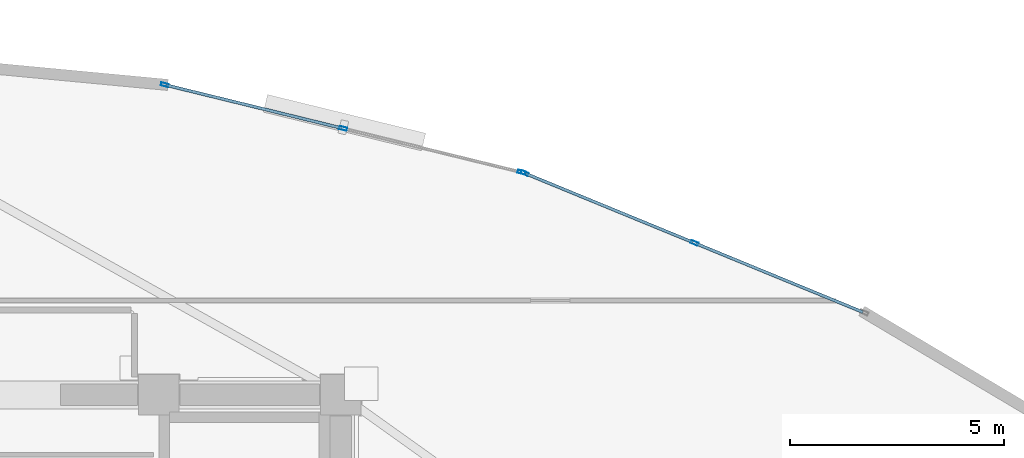
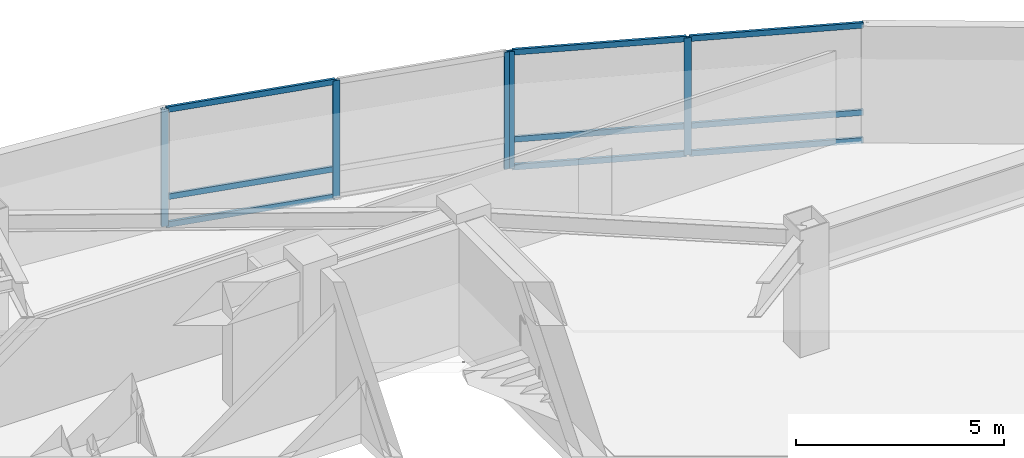
# One storey, part 10 of 17: 14 members, 2 elements without a shape of their own.
"""IFC4 building model written with IfcOpenShell, lengths in metres."""

from ifc_helpers import new_model, si_unit, direction, frame, origin, origin_2d, place, context, subcontext, project, spatial, hollow_rectangle, extrude, material, layer, layer_set, material_profile, profile_set, type_object, element, aggregate, save


model = new_model("IFC4")

# Units and contexts
model_context = context("Model", 3, precision=1e-05, world=origin(), true_north=direction((0.0, 1.0)))
body_context = subcontext(model_context, "Body", "Model", "MODEL_VIEW")
ifc_project = project(units=[si_unit("LENGTHUNIT", "METRE"), si_unit("AREAUNIT", "SQUARE_METRE"), si_unit("VOLUMEUNIT", "CUBIC_METRE"), si_unit("PLANEANGLEUNIT", "RADIAN"), si_unit("MASSUNIT", "GRAM", prefix="KILO")], contexts=[model_context])

# Site, building, storey
site_placement = place(None, origin())
site = spatial("IfcSite", under=ifc_project, at=site_placement, CompositionType="ELEMENT")
building_placement = place(site_placement, origin())
building = spatial("IfcBuilding", under=site, at=building_placement, Name="Menara Vayukalpa", CompositionType="ELEMENT")
storey_placement = place(building_placement, frame((0.0, 0.0, 234.419921875)))
storey = spatial("IfcBuildingStorey", under=building, at=storey_placement, Name="L59", CompositionType="ELEMENT", Elevation=234.419921875)

# Curtain wall, members
ifc_material_1 = material(Name="Anodised Terracotta Aluminium Alloy 6063-T6", Category="masonry")
ifc_layer = layer(ifc_material_1, 0.179931640625)
ifc_layer_set = layer_set([ifc_layer], Name="Anodised Terracotta Aluminium Alloy 6063-T6")
curtain_wall_type = type_object("IfcCurtainWallType", Name="CW-CW4", PredefinedType="USERDEFINED", material=ifc_layer_set)
curtain_wall_1_placement = place(storey_placement, origin())
curtain_wall_1 = element("IfcCurtainWall", 1, at=curtain_wall_1_placement, inside=storey, type_object=curtain_wall_type, Name="L59 Sky Bar Cantilever Glazed Curtain Wall CW4 04", ObjectType="UNITISED", PredefinedType="USERDEFINED")
ifc_material_2 = material(Name="Anodised Terracotta Aluminium Alloy 6063-T6", Category="masonry")
ifc_material_profile_1 = material_profile(ifc_material_2, hollow_rectangle(XDim=0.074951171875, YDim=0.179931640625, WallThickness=0.00390625, at=origin_2d()), Name="ALU 75x180x4")
ifc_profile_set_1 = profile_set([ifc_material_profile_1], Name="Anodised Terracotta Aluminium Alloy 6063-T6")
member_type_1 = type_object("IfcMemberType", Name="CWM-CW4", PredefinedType="MULLION", material=ifc_profile_set_1)
member_1_placement = place(storey_placement, frame((41.658203125, 30.34765625, 0.0), z_axis=(0.0, 0.0, 1.0), x_axis=(-0.380039448491, -0.924970279301, 0.0)))
member_1 = element("IfcMember", 2, at=member_1_placement, type_object=member_type_1, Name="CW4 mullion 2", PredefinedType="MULLION", context=body_context, shape_type="SweptSolid", body=[
    extrude(hollow_rectangle(XDim=0.074951171875, YDim=0.179931640625, WallThickness=0.00390625, at=origin_2d()), origin(), (0.0, 0.0, 1.0), 3.440185546875),
])
member_2_placement = place(storey_placement, frame((37.690673828125, 31.977783203125, 0.0), z_axis=(0.0, 0.0, 1.0), x_axis=(-0.380039448491, -0.924970279301, 0.0)))
member_2 = element("IfcMember", 3, at=member_2_placement, type_object=member_type_1, Name="CW4 mullion 3", PredefinedType="MULLION", context=body_context, shape_type="SweptSolid", body=[
    extrude(hollow_rectangle(XDim=0.074951171875, YDim=0.179931640625, WallThickness=0.00390625, at=origin_2d()), origin(), (0.0, 0.0, 1.0), 3.440185546875),
])

curtain_wall_2_placement = place(storey_placement, origin())
curtain_wall_2 = element("IfcCurtainWall", 4, at=curtain_wall_2_placement, inside=storey, type_object=curtain_wall_type, Name="L59 Sky Bar Cantilever Glazed Curtain Wall CW4 05", ObjectType="UNITISED", PredefinedType="USERDEFINED")
member_3_placement = place(storey_placement, frame((37.61962890625, 32.0009765625, 0.0), z_axis=(0.0, 0.0, 1.0), x_axis=(-0.237809768652, -0.971311749097, 0.0)))
member_3 = element("IfcMember", 5, at=member_3_placement, type_object=member_type_1, Name="CW4 mullion 1", PredefinedType="MULLION", context=body_context, shape_type="SweptSolid", body=[
    extrude(hollow_rectangle(XDim=0.074951171875, YDim=0.179931640625, WallThickness=0.00390625, at=origin_2d()), origin(), (0.0, 0.0, 1.0), 3.440185546875),
])
member_4_placement = place(storey_placement, frame((33.453369140625, 33.02099609375, 0.0), z_axis=(0.0, 0.0, 1.0), x_axis=(-0.237809768652, -0.971311749097, 0.0)))
member_4 = element("IfcMember", 6, at=member_4_placement, type_object=member_type_1, Name="CW4 mullion 2", PredefinedType="MULLION", context=body_context, shape_type="SweptSolid", body=[
    extrude(hollow_rectangle(XDim=0.074951171875, YDim=0.179931640625, WallThickness=0.00390625, at=origin_2d()), origin(), (0.0, 0.0, 1.0), 3.440185546875),
])
member_5_placement = place(storey_placement, frame((29.287109375, 34.041015625, 0.0), z_axis=(0.0, 0.0, 1.0), x_axis=(-0.237809768652, -0.971311749097, 0.0)))
member_5 = element("IfcMember", 7, at=member_5_placement, type_object=member_type_1, Name="CW4 mullion 3", PredefinedType="MULLION", context=body_context, shape_type="SweptSolid", body=[
    extrude(hollow_rectangle(XDim=0.074951171875, YDim=0.179931640625, WallThickness=0.00390625, at=origin_2d()), origin(), (0.0, 0.0, 1.0), 3.440185546875),
])

# Member
ifc_material_3 = material(Name="Anodised Terracotta Aluminium Alloy 6063-T6", Category="masonry")
ifc_material_profile_2 = material_profile(ifc_material_3, hollow_rectangle(XDim=0.070068359375, YDim=0.1650390625, WallThickness=0.00390625, at=origin_2d()), Name="ALU 70x165x4")
ifc_profile_set_2 = profile_set([ifc_material_profile_2], Name="Anodised Terracotta Aluminium Alloy 6063-T6")
member_type_2 = type_object("IfcMemberType", Name="CWT-CW4", PredefinedType="USERDEFINED", material=ifc_profile_set_2)
member_6_placement = place(storey_placement, frame((45.5908203125, 28.731689453125, 0.03515625), z_axis=(-0.924947817082, 0.380094114235, 0.0), x_axis=(-0.380094114235, -0.924947817082, 0.0)))
member_6 = element("IfcMember", 8, at=member_6_placement, type_object=member_type_2, Name="CW4 transom 1.1", ObjectType="TRANSOM", PredefinedType="USERDEFINED", context=body_context, shape_type="SweptSolid", body=[
    extrude(hollow_rectangle(XDim=0.070068359375, YDim=0.1650390625, WallThickness=0.00390625, at=origin_2d()), origin(), (0.0, 0.0, 1.0), 4.21435546875),
])

member_7_placement = place(storey_placement, frame((45.5908203125, 28.731689453125, 0.85009765625), z_axis=(-0.924947817082, 0.380094114235, 0.0), x_axis=(-0.380094114235, -0.924947817082, 0.0)))
member_7 = element("IfcMember", 9, at=member_7_placement, type_object=member_type_2, Name="CW4 transom 1.2", ObjectType="TRANSOM", PredefinedType="USERDEFINED", context=body_context, shape_type="SweptSolid", body=[
    extrude(hollow_rectangle(XDim=0.070068359375, YDim=0.1650390625, WallThickness=0.00390625, at=origin_2d()), origin(), (0.0, 0.0, 1.0), 4.21435546875),
])

member_8_placement = place(storey_placement, frame((45.5908203125, 28.731689453125, 3.405029296875), z_axis=(-0.924947817082, 0.380094114235, 0.0), x_axis=(-0.380094114235, -0.924947817082, 0.0)))
member_8 = element("IfcMember", 10, at=member_8_placement, type_object=member_type_2, Name="CW4 transom 1.3", ObjectType="TRANSOM", PredefinedType="USERDEFINED", context=body_context, shape_type="SweptSolid", body=[
    extrude(hollow_rectangle(XDim=0.070068359375, YDim=0.1650390625, WallThickness=0.00390625, at=origin_2d()), origin(), (0.0, 0.0, 1.0), 4.21435546875),
])

member_9_placement = place(storey_placement, frame((41.62353515625, 30.36181640625, 0.03515625), z_axis=(-0.924976550219, 0.380024185473, 0.0), x_axis=(-0.380024185473, -0.924976550219, 0.0)))
member_9 = element("IfcMember", 11, at=member_9_placement, type_object=member_type_2, Name="CW4 transom 2.1", ObjectType="TRANSOM", PredefinedType="USERDEFINED", context=body_context, shape_type="SweptSolid", body=[
    extrude(hollow_rectangle(XDim=0.070068359375, YDim=0.1650390625, WallThickness=0.00390625, at=origin_2d()), origin(), (0.0, 0.0, 1.0), 4.21435546875),
])

member_10_placement = place(storey_placement, frame((41.62353515625, 30.36181640625, 0.85009765625), z_axis=(-0.924976550219, 0.380024185473, 0.0), x_axis=(-0.380024185473, -0.924976550219, 0.0)))
member_10 = element("IfcMember", 12, at=member_10_placement, type_object=member_type_2, Name="CW4 transom 2.2", ObjectType="TRANSOM", PredefinedType="USERDEFINED", context=body_context, shape_type="SweptSolid", body=[
    extrude(hollow_rectangle(XDim=0.070068359375, YDim=0.1650390625, WallThickness=0.00390625, at=origin_2d()), origin(), (0.0, 0.0, 1.0), 4.21435546875),
])

member_11_placement = place(storey_placement, frame((41.62353515625, 30.36181640625, 3.405029296875), z_axis=(-0.924976550219, 0.380024185473, 0.0), x_axis=(-0.380024185473, -0.924976550219, 0.0)))
member_11 = element("IfcMember", 13, at=member_11_placement, type_object=member_type_2, Name="CW4 transom 2.3", ObjectType="TRANSOM", PredefinedType="USERDEFINED", context=body_context, shape_type="SweptSolid", body=[
    extrude(hollow_rectangle(XDim=0.070068359375, YDim=0.1650390625, WallThickness=0.00390625, at=origin_2d()), origin(), (0.0, 0.0, 1.0), 4.21435546875),
])

aggregate(curtain_wall_1, [member_1, member_2, member_6, member_7, member_8, member_9, member_10, member_11])

member_12_placement = place(storey_placement, frame((33.4169921875, 33.02978515625, 0.03515625), z_axis=(-0.971313425115, 0.237802923009, 0.0), x_axis=(-0.237802923009, -0.971313425115, 0.0)))
member_12 = element("IfcMember", 14, at=member_12_placement, type_object=member_type_2, Name="CW4 transom 2.1", ObjectType="TRANSOM", PredefinedType="USERDEFINED", context=body_context, shape_type="SweptSolid", body=[
    extrude(hollow_rectangle(XDim=0.070068359375, YDim=0.1650390625, WallThickness=0.00390625, at=origin_2d()), origin(), (0.0, 0.0, 1.0), 4.21435546875),
])

member_13_placement = place(storey_placement, frame((33.4169921875, 33.02978515625, 0.85009765625), z_axis=(-0.971313425115, 0.237802923009, 0.0), x_axis=(-0.237802923009, -0.971313425115, 0.0)))
member_13 = element("IfcMember", 15, at=member_13_placement, type_object=member_type_2, Name="CW4 transom 2.2", ObjectType="TRANSOM", PredefinedType="USERDEFINED", context=body_context, shape_type="SweptSolid", body=[
    extrude(hollow_rectangle(XDim=0.070068359375, YDim=0.1650390625, WallThickness=0.00390625, at=origin_2d()), origin(), (0.0, 0.0, 1.0), 4.21435546875),
])

member_14_placement = place(storey_placement, frame((33.4169921875, 33.02978515625, 3.405029296875), z_axis=(-0.971313425115, 0.237802923009, 0.0), x_axis=(-0.237802923009, -0.971313425115, 0.0)))
member_14 = element("IfcMember", 16, at=member_14_placement, type_object=member_type_2, Name="CW4 transom 2.3", ObjectType="TRANSOM", PredefinedType="USERDEFINED", context=body_context, shape_type="SweptSolid", body=[
    extrude(hollow_rectangle(XDim=0.070068359375, YDim=0.1650390625, WallThickness=0.00390625, at=origin_2d()), origin(), (0.0, 0.0, 1.0), 4.21435546875),
])

aggregate(curtain_wall_2, [member_3, member_4, member_5, member_12, member_13, member_14])

save(model, "model.ifc")
